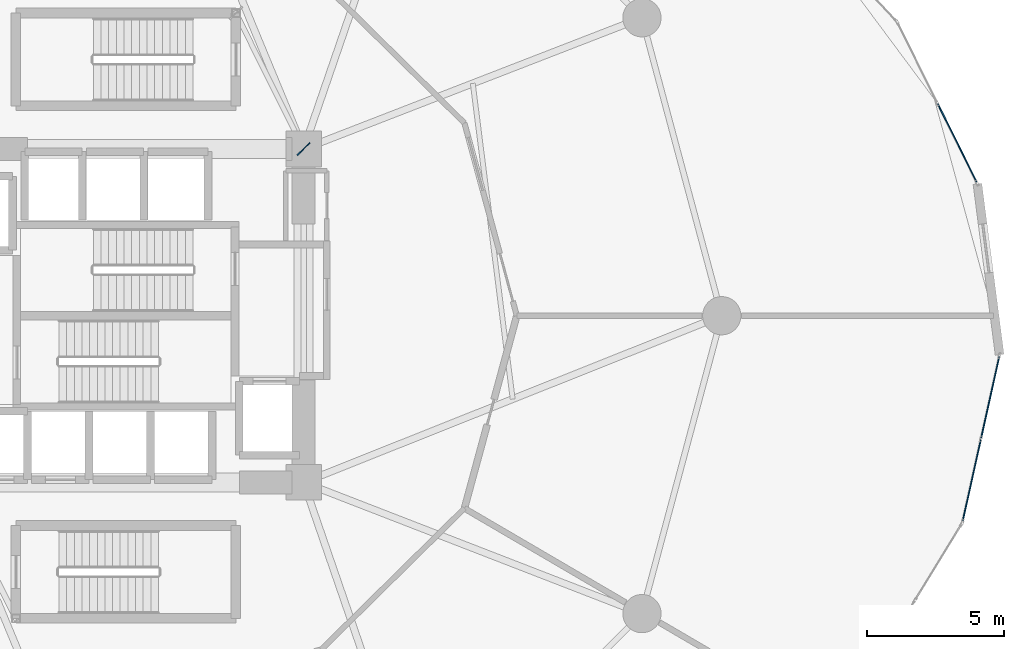
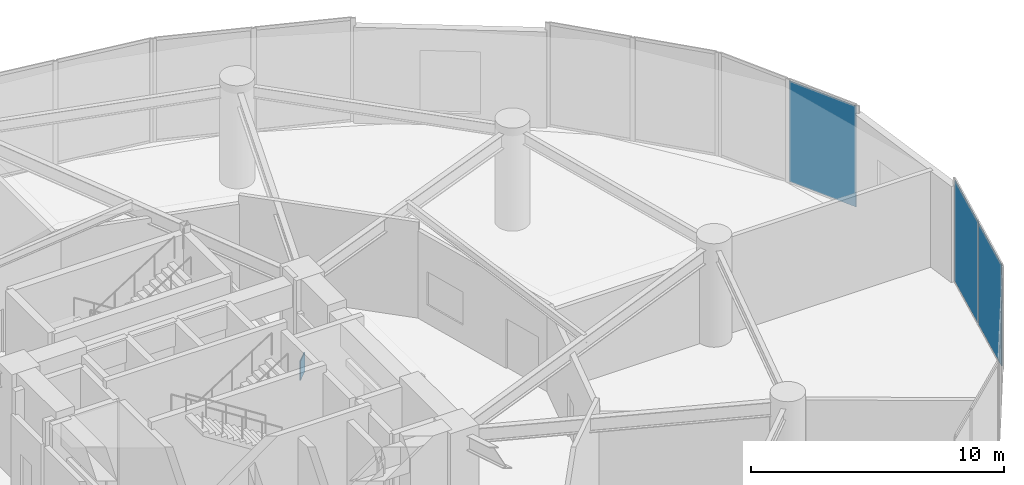
# One storey, part 23 of 31: 4 plates, 2 elements without a shape of their own.
"""IFC4 building model written with IfcOpenShell, lengths in metres."""

from ifc_helpers import new_model, si_unit, direction, frame, origin, origin_2d, place, context, subcontext, project, spatial, rectangle, extrude, source, transform, mapped, material, layer, layer_set, type_object, element, aggregate, save


model = new_model("IFC4")

# Units and contexts
model_context = context("Model", 3, precision=1e-05, world=origin(), true_north=direction((0.0, 1.0)))
body_context = subcontext(model_context, "Body", "Model", "MODEL_VIEW")
ifc_project = project(units=[si_unit("LENGTHUNIT", "METRE"), si_unit("AREAUNIT", "SQUARE_METRE"), si_unit("VOLUMEUNIT", "CUBIC_METRE"), si_unit("PLANEANGLEUNIT", "RADIAN"), si_unit("MASSUNIT", "GRAM", prefix="KILO")], contexts=[model_context])

# Site, building, storey
site_placement = place(None, origin())
site = spatial("IfcSite", under=ifc_project, at=site_placement, CompositionType="ELEMENT")
building_placement = place(site_placement, origin())
building = spatial("IfcBuilding", under=site, at=building_placement, Name="Solvirekh Grand Hotel", CompositionType="ELEMENT")
storey_placement = place(building_placement, frame((0.0, 0.0, 18.60009765625)))
storey = spatial("IfcBuildingStorey", under=building, at=storey_placement, Name="L03", CompositionType="ELEMENT", Elevation=18.60009765625)

# Plate
ifc_material_1 = material(Name="Steel S355", Category="steel")
ifc_layer_1 = layer(ifc_material_1, 0.0400390625)
ifc_layer_set_1 = layer_set([ifc_layer_1], Name="Steel S355")
plate_type_1 = type_object("IfcPlateType", Name="NodeCapPlate_40", PredefinedType="SHEET", material=ifc_layer_set_1)
plate_1_placement = place(storey_placement, frame((6.5, 6.10009765625, -0.22509765625), z_axis=(0.0, 0.0, 1.0), x_axis=(-0.707106781187, 0.707106781187, 0.0)))
element("IfcPlate", 1, at=plate_1_placement, inside=storey, type_object=plate_type_1, Name="L03 hollow-section node plate NP-L03-SG4A", PredefinedType="SHEET", context=body_context, shape_type="SweptSolid", body=[
    extrude(rectangle(XDim=0.0400390625, YDim=0.64990234375, at=origin_2d()), origin(), (0.0, 0.0, 1.0), 0.949951171875),
])

# Curtain wall, plate
ifc_material_2 = material(Name="Anodized Bronze Aluminium 6063-T6", Category="aluminium")
ifc_layer_2 = layer(ifc_material_2, 0.219970703125)
ifc_layer_set_2 = layer_set([ifc_layer_2], Name="Anodized Bronze Aluminium 6063-T6")
curtain_wall_type = type_object("IfcCurtainWallType", Name="CW_Sys1_PodiumBronzeUnitised", PredefinedType="NOTDEFINED", material=ifc_layer_set_2)
curtain_wall_1_placement = place(storey_placement, origin())
curtain_wall_1 = element("IfcCurtainWall", 2, at=curtain_wall_1_placement, inside=storey, type_object=curtain_wall_type, Name="L03 unitised bronze-glass curtain wall CW-L03-C02", PredefinedType="NOTDEFINED")
ifc_material_3 = material(Name="Low-E Tinted Bronze Laminated Glass", Category="aluminium")
ifc_layer_3 = layer(ifc_material_3, 0.0439453125)
ifc_layer_set_3 = layer_set([ifc_layer_3], Name="Low-E Tinted Bronze Laminated Glass")
plate_type_2 = type_object("IfcPlateType", Name="CWPanel_Podium_44", PredefinedType="CURTAIN_PANEL", material=ifc_layer_set_3)
shared_shape_1 = source(origin(), body_context, "Body", "SweptSolid", [
    extrude(rectangle(XDim=3.193603515625, YDim=0.0439453125, at=origin_2d()), origin(), (0.0, 0.0, 1.0), 4.8701171875),
])
plate_2_placement = place(storey_placement, frame((30.413818359375, 6.322998046875, 0.06494140625), z_axis=(0.0, 0.0, 1.0), x_axis=(-0.443883267157, 0.896084619407, 0.0)))
plate_2 = element("IfcPlate", 3, at=plate_2_placement, type_object=plate_type_2, Name="U01 panel 1.1", PredefinedType="CURTAIN_PANEL", context=body_context, shape_type="MappedRepresentation", body=[
    mapped(shared_shape_1, transform((0.0, 0.0, 0.0), x_axis=(1.0, 0.0, 0.0), y_axis=(0.0, 1.0, 0.0), z_axis=(0.0, 0.0, 1.0), scale=1.0)),
])
aggregate(curtain_wall_1, [plate_2])

# Curtain wall, plates
curtain_wall_2_placement = place(storey_placement, origin())
curtain_wall_2 = element("IfcCurtainWall", 4, at=curtain_wall_2_placement, inside=storey, type_object=curtain_wall_type, Name="L03 unitised bronze-glass curtain wall CW-L03-C24", PredefinedType="NOTDEFINED")
shared_shape_2 = source(origin(), body_context, "Body", "SweptSolid", [
    extrude(rectangle(XDim=3.041015625, YDim=0.0439453125, at=origin_2d()), origin(), (0.0, 0.0, 1.0), 4.8701171875),
])
plate_3_placement = place(storey_placement, frame((30.94677734375, -6.028564453125, 0.06494140625), z_axis=(0.0, 0.0, 1.0), x_axis=(0.216745783068, 0.976228080687, 0.0)))
plate_3 = element("IfcPlate", 5, at=plate_3_placement, type_object=plate_type_2, Name="U01 panel 1.1", PredefinedType="CURTAIN_PANEL", context=body_context, shape_type="MappedRepresentation", body=[
    mapped(shared_shape_2, transform((0.0, 0.0, 0.0), x_axis=(1.0, 0.0, 0.0), y_axis=(0.0, 1.0, 0.0), z_axis=(0.0, 0.0, 1.0), scale=1.0)),
])
plate_4_placement = place(storey_placement, frame((31.6220703125, -2.986572265625, 0.06494140625), z_axis=(0.0, 0.0, 1.0), x_axis=(0.216745783068, 0.976228080687, 0.0)))
plate_4 = element("IfcPlate", 6, at=plate_4_placement, type_object=plate_type_2, Name="U01 panel 2.1", PredefinedType="CURTAIN_PANEL", context=body_context, shape_type="MappedRepresentation", body=[
    mapped(shared_shape_2, transform((0.0, 0.0, 0.0), x_axis=(1.0, 0.0, 0.0), y_axis=(0.0, 1.0, 0.0), z_axis=(0.0, 0.0, 1.0), scale=1.0)),
])
aggregate(curtain_wall_2, [plate_3, plate_4])

save(model, "model.ifc")
